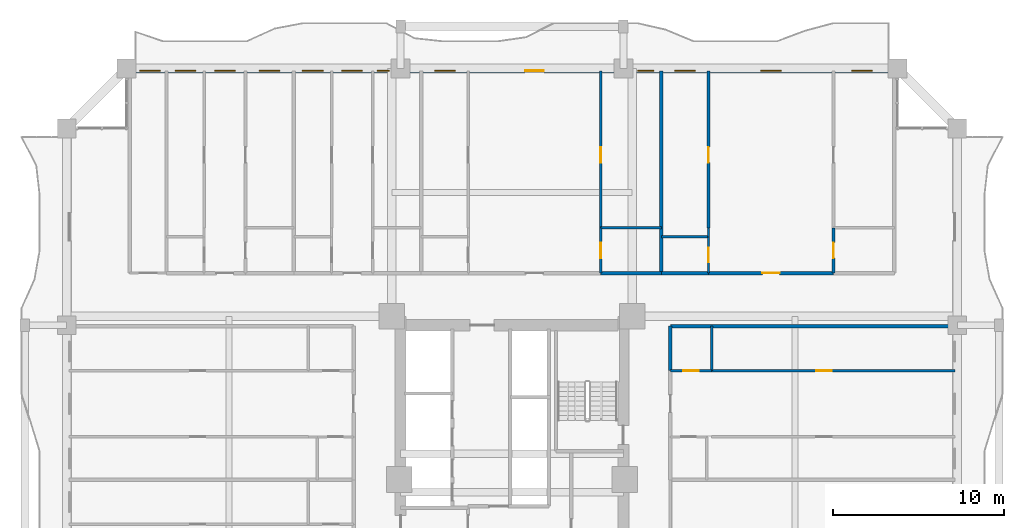
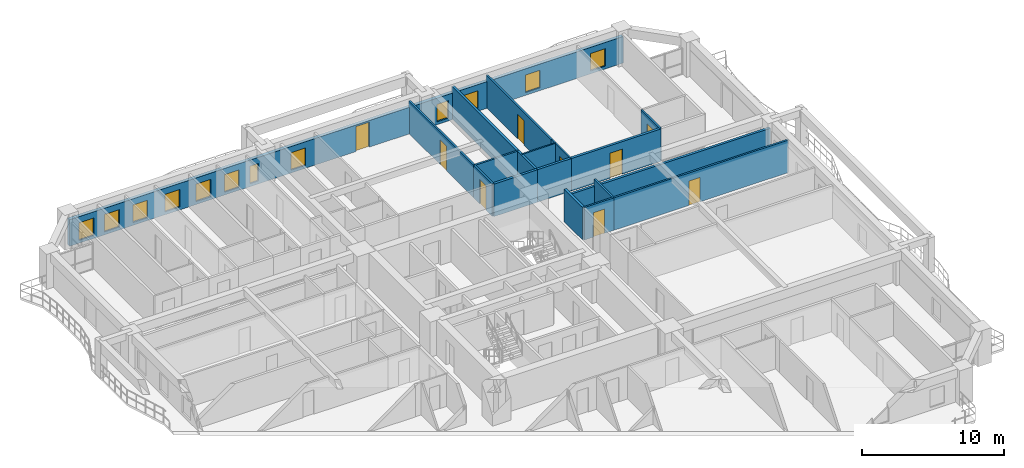
# One storey, part 19 of 27: 18 walls, 12 windows, 9 doors, 21 openings.
"""IFC4 building model written with IfcOpenShell, lengths in metres."""

from ifc_helpers import new_model, si_unit, direction, frame, frame_2d, origin, place, context, subcontext, project, spatial, rectangle, extrude, source, transform, mapped, material, layer, layer_set, type_object, element, fill, save


model = new_model("IFC4")

# Units and contexts
model_context = context("Model", 3, precision=1e-05, world=origin(), true_north=direction((0.0, 1.0)))
body_context = subcontext(model_context, "Body", "Model", "MODEL_VIEW")
ifc_project = project(units=[si_unit("LENGTHUNIT", "METRE"), si_unit("AREAUNIT", "SQUARE_METRE"), si_unit("VOLUMEUNIT", "CUBIC_METRE"), si_unit("PLANEANGLEUNIT", "RADIAN"), si_unit("MASSUNIT", "GRAM", prefix="KILO")], contexts=[model_context])

# Site, building, storey
site_placement = place(None, origin())
site = spatial("IfcSite", under=ifc_project, at=site_placement, CompositionType="ELEMENT")
building_placement = place(site_placement, origin())
building = spatial("IfcBuilding", under=site, at=building_placement, Name="Saelheon Loggia Tower", CompositionType="ELEMENT")
storey_placement = place(building_placement, frame((0.0, 0.0, 52.39990234375)))
storey = spatial("IfcBuildingStorey", under=building, at=storey_placement, Name="L16", CompositionType="ELEMENT", Elevation=52.39990234375)

# Wall, openings, windows, door
ifc_material_1 = material(Name="Architectural Precast Concrete C40/50", Category="concrete")
ifc_layer_1 = layer(ifc_material_1, 0.280029296875)
ifc_layer_set_1 = layer_set([ifc_layer_1], Name="Architectural Precast Concrete C40/50")
wall_type_1 = type_object("IfcWallType", Name="Wall_Ext_Loggia_280", PredefinedType="SOLIDWALL", material=ifc_layer_set_1)
wall_1_placement = place(storey_placement, frame((15.5, 50.860107421875, 0.0), z_axis=(0.0, 0.0, 1.0), x_axis=(1.0, 0.0, 0.0)))
wall_1 = element("IfcWall", 1, at=wall_1_placement, inside=storey, type_object=wall_type_1, Name="L16 North Loggia Inner Wall", PredefinedType="SOLIDWALL", context=body_context, shape_type="SweptSolid", body=[
    extrude(rectangle(XDim=45.0, YDim=0.280029296875, at=frame_2d((22.5, 0.0))), origin(), (0.0, 0.0, 1.0), 2.280029296875),
])
opening_1_placement = place(wall_1_placement, frame((0.760009765625, 0.0, 0.25)))
opening_1 = element("IfcOpeningElement", 2, at=opening_1_placement, cuts=wall_1, Name="Opening WN-03", PredefinedType="OPENING", context=body_context, shape_type="SweptSolid", body=[
    extrude(rectangle(XDim=1.199951171875, YDim=1.5, at=frame_2d((0.60009765625, 0.75))), frame((0.0, 0.152099609375, 0.0), z_axis=(0.0, -1.0, 0.0), x_axis=(1.0, 0.0, 0.0)), (0.0, 0.0, 1.0), 0.303955078125),
])
opening_2_placement = place(wall_1_placement, frame((2.830078125, 0.0, 0.25)))
opening_2 = element("IfcOpeningElement", 3, at=opening_2_placement, cuts=wall_1, Name="Opening WN-03", PredefinedType="OPENING", context=body_context, shape_type="SweptSolid", body=[
    extrude(rectangle(XDim=1.199951171875, YDim=1.5, at=frame_2d((0.60009765625, 0.75))), frame((0.0, 0.152099609375, 0.0), z_axis=(0.0, -1.0, 0.0), x_axis=(1.0, 0.0, 0.0)), (0.0, 0.0, 1.0), 0.303955078125),
])
opening_3_placement = place(wall_1_placement, frame((5.135009765625, 0.0, 0.25)))
opening_3 = element("IfcOpeningElement", 4, at=opening_3_placement, cuts=wall_1, Name="Opening WN-03", PredefinedType="OPENING", context=body_context, shape_type="SweptSolid", body=[
    extrude(rectangle(XDim=1.199951171875, YDim=1.5, at=frame_2d((0.60009765625, 0.75))), frame((0.0, 0.152099609375, 0.0), z_axis=(0.0, -1.0, 0.0), x_axis=(1.0, 0.0, 0.0)), (0.0, 0.0, 1.0), 0.303955078125),
])
opening_4_placement = place(wall_1_placement, frame((7.7529296875, 0.0, 0.25)))
opening_4 = element("IfcOpeningElement", 5, at=opening_4_placement, cuts=wall_1, Name="Opening WN-03", PredefinedType="OPENING", context=body_context, shape_type="SweptSolid", body=[
    extrude(rectangle(XDim=1.199951171875, YDim=1.5, at=frame_2d((0.60009765625, 0.75))), frame((0.0, 0.152099609375, 0.0), z_axis=(0.0, -1.0, 0.0), x_axis=(1.0, 0.0, 0.0)), (0.0, 0.0, 1.0), 0.303955078125),
])
opening_5_placement = place(wall_1_placement, frame((10.265869140625, 0.0, 0.25)))
opening_5 = element("IfcOpeningElement", 6, at=opening_5_placement, cuts=wall_1, Name="Opening WN-03", PredefinedType="OPENING", context=body_context, shape_type="SweptSolid", body=[
    extrude(rectangle(XDim=1.199951171875, YDim=1.5, at=frame_2d((0.60009765625, 0.75))), frame((0.0, 0.152099609375, 0.0), z_axis=(0.0, -1.0, 0.0), x_axis=(1.0, 0.0, 0.0)), (0.0, 0.0, 1.0), 0.303955078125),
])
opening_6_placement = place(wall_1_placement, frame((12.57080078125, 0.0, 0.25)))
opening_6 = element("IfcOpeningElement", 7, at=opening_6_placement, cuts=wall_1, Name="Opening WN-03", PredefinedType="OPENING", context=body_context, shape_type="SweptSolid", body=[
    extrude(rectangle(XDim=1.199951171875, YDim=1.5, at=frame_2d((0.60009765625, 0.75))), frame((0.0, 0.152099609375, 0.0), z_axis=(0.0, -1.0, 0.0), x_axis=(1.0, 0.0, 0.0)), (0.0, 0.0, 1.0), 0.303955078125),
])
opening_7_placement = place(wall_1_placement, frame((14.64306640625, 0.0, 0.25)))
opening_7 = element("IfcOpeningElement", 8, at=opening_7_placement, cuts=wall_1, Name="Opening WN-06", PredefinedType="OPENING", context=body_context, shape_type="SweptSolid", body=[
    extrude(rectangle(XDim=0.699951171875, YDim=1.5, at=frame_2d((0.35009765625, 0.75))), frame((0.0, 0.152099609375, 0.0), z_axis=(0.0, -1.0, 0.0), x_axis=(1.0, 0.0, 0.0)), (0.0, 0.0, 1.0), 0.303955078125),
])
opening_8_placement = place(wall_1_placement, frame((17.9765625, 0.0, 0.25)))
opening_8 = element("IfcOpeningElement", 9, at=opening_8_placement, cuts=wall_1, Name="Opening WN-03", PredefinedType="OPENING", context=body_context, shape_type="SweptSolid", body=[
    extrude(rectangle(XDim=1.199951171875, YDim=1.5, at=frame_2d((0.60009765625, 0.75))), frame((0.0, 0.152099609375, 0.0), z_axis=(0.0, -1.0, 0.0), x_axis=(1.0, 0.0, 0.0)), (0.0, 0.0, 1.0), 0.303955078125),
])
opening_9_placement = place(wall_1_placement, frame((23.26318359375, 0.0, 0.0)))
opening_9 = element("IfcOpeningElement", 10, at=opening_9_placement, cuts=wall_1, Name="Opening TD1", PredefinedType="OPENING", context=body_context, shape_type="SweptSolid", body=[
    extrude(rectangle(XDim=1.10009765625, YDim=2.14990234375, at=frame_2d((0.550048828125, 1.074951171875))), frame((0.0, 0.152099609375, 0.0), z_axis=(0.0, -1.0, 0.0), x_axis=(1.0, 0.0, 0.0)), (0.0, 0.0, 1.0), 0.303955078125),
])
opening_10_placement = place(wall_1_placement, frame((29.83154296875, 0.0, 0.25)))
opening_10 = element("IfcOpeningElement", 11, at=opening_10_placement, cuts=wall_1, Name="Opening WN-04", PredefinedType="OPENING", context=body_context, shape_type="SweptSolid", body=[
    extrude(rectangle(XDim=0.949951171875, YDim=1.5, at=frame_2d((0.47509765625, 0.75))), frame((0.0, 0.152099609375, 0.0), z_axis=(0.0, -1.0, 0.0), x_axis=(1.0, 0.0, 0.0)), (0.0, 0.0, 1.0), 0.303955078125),
])
opening_11_placement = place(wall_1_placement, frame((31.998291015625, 0.0, 0.25)))
opening_11 = element("IfcOpeningElement", 12, at=opening_11_placement, cuts=wall_1, Name="Opening WN-03", PredefinedType="OPENING", context=body_context, shape_type="SweptSolid", body=[
    extrude(rectangle(XDim=1.199951171875, YDim=1.5, at=frame_2d((0.60009765625, 0.75))), frame((0.0, 0.152099609375, 0.0), z_axis=(0.0, -1.0, 0.0), x_axis=(1.0, 0.0, 0.0)), (0.0, 0.0, 1.0), 0.303955078125),
])
opening_12_placement = place(wall_1_placement, frame((37.022705078125, 0.0, 0.25)))
opening_12 = element("IfcOpeningElement", 13, at=opening_12_placement, cuts=wall_1, Name="Opening WN-03", PredefinedType="OPENING", context=body_context, shape_type="SweptSolid", body=[
    extrude(rectangle(XDim=1.199951171875, YDim=1.5, at=frame_2d((0.60009765625, 0.75))), frame((0.0, 0.152099609375, 0.0), z_axis=(0.0, -1.0, 0.0), x_axis=(1.0, 0.0, 0.0)), (0.0, 0.0, 1.0), 0.303955078125),
])
opening_13_placement = place(wall_1_placement, frame((42.341064453125, 0.0, 0.25)))
opening_13 = element("IfcOpeningElement", 14, at=opening_13_placement, cuts=wall_1, Name="Opening WN-03", PredefinedType="OPENING", context=body_context, shape_type="SweptSolid", body=[
    extrude(rectangle(XDim=1.199951171875, YDim=1.5, at=frame_2d((0.60009765625, 0.75))), frame((0.0, 0.152099609375, 0.0), z_axis=(0.0, -1.0, 0.0), x_axis=(1.0, 0.0, 0.0)), (0.0, 0.0, 1.0), 0.303955078125),
])
ifc_material_2 = material(Name="Thermal-Break Aluminium and Triple Low-E Glass", Category="aluminium")
window_type_1 = type_object("IfcWindowType", Name="Win_Slot_700x1500", PartitioningType="SINGLE_PANEL", PredefinedType="WINDOW", material=ifc_material_2)
shared_shape_1 = source(origin(), body_context, "Body", "SweptSolid", [
    extrude(rectangle(XDim=0.699951171875, YDim=1.5, at=frame_2d((0.35009765625, 0.75))), frame((0.0, 0.030029296875, 0.0), z_axis=(0.0, -1.0, 0.0), x_axis=(1.0, 0.0, 0.0)), (0.0, 0.0, 1.0), 0.06005859375),
])
window_1_placement = place(opening_7_placement, origin())
window_1 = element("IfcWindow", 15, at=window_1_placement, inside=storey, type_object=window_type_1, Name="L16 N Dwelling Window 7", OverallHeight=1.5, OverallWidth=0.699951171875, PartitioningType="SINGLE_PANEL", PredefinedType="WINDOW", context=body_context, shape_type="MappedRepresentation", body=[
    mapped(shared_shape_1, transform((0.0, 0.0, 0.0), scale=1.0)),
])
fill(opening_7, window_1)
window_type_2 = type_object("IfcWindowType", Name="Win_Bedroom_1200x1500", PartitioningType="SINGLE_PANEL", PredefinedType="WINDOW", material=ifc_material_2)
shared_shape_2 = source(origin(), body_context, "Body", "SweptSolid", [
    extrude(rectangle(XDim=1.199951171875, YDim=1.5, at=frame_2d((0.60009765625, 0.75))), frame((0.0, 0.030029296875, 0.0), z_axis=(0.0, -1.0, 0.0), x_axis=(1.0, 0.0, 0.0)), (0.0, 0.0, 1.0), 0.06005859375),
])
window_2_placement = place(opening_1_placement, origin())
window_2 = element("IfcWindow", 16, at=window_2_placement, inside=storey, type_object=window_type_2, Name="L16 N Dwelling Window 1", OverallHeight=1.5, OverallWidth=1.199951171875, PartitioningType="SINGLE_PANEL", PredefinedType="WINDOW", context=body_context, shape_type="MappedRepresentation", body=[
    mapped(shared_shape_2, transform((0.0, 0.0, 0.0), scale=1.0)),
])
fill(opening_1, window_2)
window_3_placement = place(opening_2_placement, origin())
window_3 = element("IfcWindow", 17, at=window_3_placement, inside=storey, type_object=window_type_2, Name="L16 N Dwelling Window 2", OverallHeight=1.5, OverallWidth=1.199951171875, PartitioningType="SINGLE_PANEL", PredefinedType="WINDOW", context=body_context, shape_type="MappedRepresentation", body=[
    mapped(shared_shape_2, transform((0.0, 0.0, 0.0), scale=1.0)),
])
fill(opening_2, window_3)
window_4_placement = place(opening_3_placement, origin())
window_4 = element("IfcWindow", 18, at=window_4_placement, inside=storey, type_object=window_type_2, Name="L16 N Dwelling Window 3", OverallHeight=1.5, OverallWidth=1.199951171875, PartitioningType="SINGLE_PANEL", PredefinedType="WINDOW", context=body_context, shape_type="MappedRepresentation", body=[
    mapped(shared_shape_2, transform((0.0, 0.0, 0.0), scale=1.0)),
])
fill(opening_3, window_4)
window_5_placement = place(opening_4_placement, origin())
window_5 = element("IfcWindow", 19, at=window_5_placement, inside=storey, type_object=window_type_2, Name="L16 N Dwelling Window 4", OverallHeight=1.5, OverallWidth=1.199951171875, PartitioningType="SINGLE_PANEL", PredefinedType="WINDOW", context=body_context, shape_type="MappedRepresentation", body=[
    mapped(shared_shape_2, transform((0.0, 0.0, 0.0), scale=1.0)),
])
fill(opening_4, window_5)
window_6_placement = place(opening_5_placement, origin())
window_6 = element("IfcWindow", 20, at=window_6_placement, inside=storey, type_object=window_type_2, Name="L16 N Dwelling Window 5", OverallHeight=1.5, OverallWidth=1.199951171875, PartitioningType="SINGLE_PANEL", PredefinedType="WINDOW", context=body_context, shape_type="MappedRepresentation", body=[
    mapped(shared_shape_2, transform((0.0, 0.0, 0.0), scale=1.0)),
])
fill(opening_5, window_6)
window_7_placement = place(opening_6_placement, origin())
window_7 = element("IfcWindow", 21, at=window_7_placement, inside=storey, type_object=window_type_2, Name="L16 N Dwelling Window 6", OverallHeight=1.5, OverallWidth=1.199951171875, PartitioningType="SINGLE_PANEL", PredefinedType="WINDOW", context=body_context, shape_type="MappedRepresentation", body=[
    mapped(shared_shape_2, transform((0.0, 0.0, 0.0), scale=1.0)),
])
fill(opening_6, window_7)
window_8_placement = place(opening_8_placement, origin())
window_8 = element("IfcWindow", 22, at=window_8_placement, inside=storey, type_object=window_type_2, Name="L16 N Dwelling Window 8", OverallHeight=1.5, OverallWidth=1.199951171875, PartitioningType="SINGLE_PANEL", PredefinedType="WINDOW", context=body_context, shape_type="MappedRepresentation", body=[
    mapped(shared_shape_2, transform((0.0, 0.0, 0.0), scale=1.0)),
])
fill(opening_8, window_8)
window_9_placement = place(opening_11_placement, origin())
window_9 = element("IfcWindow", 23, at=window_9_placement, inside=storey, type_object=window_type_2, Name="L16 N Dwelling Window 11", OverallHeight=1.5, OverallWidth=1.199951171875, PartitioningType="SINGLE_PANEL", PredefinedType="WINDOW", context=body_context, shape_type="MappedRepresentation", body=[
    mapped(shared_shape_2, transform((0.0, 0.0, 0.0), scale=1.0)),
])
fill(opening_11, window_9)
window_10_placement = place(opening_12_placement, origin())
window_10 = element("IfcWindow", 24, at=window_10_placement, inside=storey, type_object=window_type_2, Name="L16 N Dwelling Window 12", OverallHeight=1.5, OverallWidth=1.199951171875, PartitioningType="SINGLE_PANEL", PredefinedType="WINDOW", context=body_context, shape_type="MappedRepresentation", body=[
    mapped(shared_shape_2, transform((0.0, 0.0, 0.0), scale=1.0)),
])
fill(opening_12, window_10)
window_11_placement = place(opening_13_placement, origin())
window_11 = element("IfcWindow", 25, at=window_11_placement, inside=storey, type_object=window_type_2, Name="L16 N Dwelling Window 13", OverallHeight=1.5, OverallWidth=1.199951171875, PartitioningType="SINGLE_PANEL", PredefinedType="WINDOW", context=body_context, shape_type="MappedRepresentation", body=[
    mapped(shared_shape_2, transform((0.0, 0.0, 0.0), scale=1.0)),
])
fill(opening_13, window_11)
ifc_material_3 = material(Name="Thermal-Break Aluminium Glazed Door", Category="aluminium")
door_type_1 = type_object("IfcDoorType", Name="Door_Terrace_TD1", OperationType="NOTDEFINED", PredefinedType="DOOR", material=ifc_material_3)
shared_shape_3 = source(origin(), body_context, "Body", "SweptSolid", [
    extrude(rectangle(XDim=1.10009765625, YDim=2.14990234375, at=frame_2d((0.550048828125, 1.074951171875))), frame((0.0, 0.02490234375, 0.0), z_axis=(0.0, -1.0, 0.0), x_axis=(1.0, 0.0, 0.0)), (0.0, 0.0, 1.0), 0.050048828125),
])
door_1_placement = place(opening_9_placement, origin())
door_1 = element("IfcDoor", 26, at=door_1_placement, inside=storey, type_object=door_type_1, Name="L16 N Loggia Access Door", OperationType="SINGLE_SWING_LEFT", OverallHeight=2.14990234375, OverallWidth=1.10009765625, PredefinedType="DOOR", context=body_context, shape_type="MappedRepresentation", body=[
    mapped(shared_shape_3, transform((0.0, 0.0, 0.0), scale=1.0)),
])
fill(opening_9, door_1)
window_type_3 = type_object("IfcWindowType", Name="Win_Narrow_950x1500", PartitioningType="SINGLE_PANEL", PredefinedType="WINDOW", material=ifc_material_2)
shared_shape_4 = source(origin(), body_context, "Body", "SweptSolid", [
    extrude(rectangle(XDim=0.949951171875, YDim=1.5, at=frame_2d((0.47509765625, 0.75))), frame((0.0, 0.030029296875, 0.0), z_axis=(0.0, -1.0, 0.0), x_axis=(1.0, 0.0, 0.0)), (0.0, 0.0, 1.0), 0.06005859375),
])
window_12_placement = place(opening_10_placement, origin())
window_12 = element("IfcWindow", 27, at=window_12_placement, inside=storey, type_object=window_type_3, Name="L16 N Dwelling Window 10", OverallHeight=1.5, OverallWidth=0.949951171875, PartitioningType="SINGLE_PANEL", PredefinedType="WINDOW", context=body_context, shape_type="MappedRepresentation", body=[
    mapped(shared_shape_4, transform((0.0, 0.0, 0.0), scale=1.0)),
])
fill(opening_10, window_12)

# Wall
ifc_material_4 = material(Name="Lightweight Autoclaved Aerated Concrete Block and Acoustic Gypsum", Category="concrete")
ifc_layer_2 = layer(ifc_material_4, 0.14990234375)
ifc_layer_set_2 = layer_set([ifc_layer_2], Name="Lightweight Autoclaved Aerated Concrete Block and Acoustic Gypsum")
wall_type_2 = type_object("IfcWallType", Name="Wall_Part_150", PredefinedType="PARTITIONING", material=ifc_layer_set_2)
wall_2_placement = place(storey_placement, frame((43.17529296875, 41.68994140625, 0.0), z_axis=(0.0, 0.0, 1.0), x_axis=(1.0, 0.0, 0.0)))
element("IfcWall", 28, at=wall_2_placement, inside=storey, type_object=wall_type_2, Name="L16 N Partition V31", PredefinedType="PARTITIONING", context=body_context, shape_type="SweptSolid", body=[
    extrude(rectangle(XDim=3.5478515625, YDim=0.14990234375, at=frame_2d((1.77392578125, 0.0))), origin(), (0.0, 0.0, 1.0), 2.7900390625),
])

# Wall, opening, door
wall_3_placement = place(storey_placement, frame((43.17529296875, 39.050048828125, 0.0), z_axis=(0.0, 0.0, 1.0), x_axis=(0.0, 1.0, 0.0)))
wall_3 = element("IfcWall", 29, at=wall_3_placement, inside=storey, type_object=wall_type_2, Name="L16 N Partition U35", PredefinedType="PARTITIONING", context=body_context, shape_type="SweptSolid", body=[
    extrude(rectangle(XDim=2.639892578125, YDim=0.14990234375, at=frame_2d((1.31982421875, 0.0))), origin(), (0.0, 0.0, 1.0), 2.7900390625),
])
opening_14_placement = place(wall_3_placement, frame((0.8701171875, 0.0, 0.0)))
opening_14 = element("IfcOpeningElement", 30, at=opening_14_placement, cuts=wall_3, Name="Opening D-IN2", PredefinedType="OPENING", context=body_context, shape_type="SweptSolid", body=[
    extrude(rectangle(XDim=0.89990234375, YDim=2.10009765625, at=frame_2d((0.449951171875, 1.050048828125))), frame((0.0, 0.0869140625, 0.0), z_axis=(0.0, -1.0, 0.0), x_axis=(1.0, 0.0, 0.0)), (0.0, 0.0, 1.0), 0.173828125),
])
ifc_material_5 = material(Name="Engineered Oak Flush Door", Category="timber")
door_type_2 = type_object("IfcDoorType", Name="Door_Int_900", OperationType="NOTDEFINED", PredefinedType="DOOR", material=ifc_material_5)
shared_shape_5 = source(origin(), body_context, "Body", "SweptSolid", [
    extrude(rectangle(XDim=0.89990234375, YDim=2.10009765625, at=frame_2d((0.449951171875, 1.050048828125))), frame((0.0, 0.02490234375, 0.0), z_axis=(0.0, -1.0, 0.0), x_axis=(1.0, 0.0, 0.0)), (0.0, 0.0, 1.0), 0.050048828125),
])
door_2_placement = place(opening_14_placement, origin())
door_2 = element("IfcDoor", 31, at=door_2_placement, inside=storey, type_object=door_type_2, Name="Unit U05 Dressing Closet Door", OperationType="SINGLE_SWING_LEFT", OverallHeight=2.10009765625, OverallWidth=0.89990234375, PredefinedType="DOOR", context=body_context, shape_type="MappedRepresentation", body=[
    mapped(shared_shape_5, transform((0.0, 0.0, 0.0), scale=1.0)),
])
fill(opening_14, door_2)

wall_4_placement = place(storey_placement, frame((43.17529296875, 41.68994140625, 0.0), z_axis=(0.0, 0.0, 1.0), x_axis=(0.0, 1.0, 0.0)))
wall_4 = element("IfcWall", 32, at=wall_4_placement, inside=storey, type_object=wall_type_2, Name="L16 N Partition U36", PredefinedType="PARTITIONING", context=body_context, shape_type="SweptSolid", body=[
    extrude(rectangle(XDim=9.16015625, YDim=0.14990234375, at=frame_2d((4.580078125, 0.0))), origin(), (0.0, 0.0, 1.0), 2.7900390625),
])
opening_15_placement = place(wall_4_placement, frame((3.805908203125, 0.0, 0.0)))
opening_15 = element("IfcOpeningElement", 33, at=opening_15_placement, cuts=wall_4, Name="Opening D-IN2", PredefinedType="OPENING", context=body_context, shape_type="SweptSolid", body=[
    extrude(rectangle(XDim=0.89990234375, YDim=2.10009765625, at=frame_2d((0.449951171875, 1.050048828125))), frame((0.0, 0.0869140625, 0.0), z_axis=(0.0, -1.0, 0.0), x_axis=(1.0, 0.0, 0.0)), (0.0, 0.0, 1.0), 0.173828125),
])
door_3_placement = place(opening_15_placement, origin())
door_3 = element("IfcDoor", 34, at=door_3_placement, inside=storey, type_object=door_type_2, Name="Unit U05 Bedroom 1 Door", OperationType="SINGLE_SWING_RIGHT", OverallHeight=2.10009765625, OverallWidth=0.89990234375, PredefinedType="DOOR", context=body_context, shape_type="MappedRepresentation", body=[
    mapped(shared_shape_5, transform((0.0, 0.0, 0.0), scale=1.0)),
])
fill(opening_15, door_3)

wall_5_placement = place(storey_placement, frame((49.47314453125, 41.68994140625, 0.0), z_axis=(0.0, 0.0, 1.0), x_axis=(0.0, 1.0, 0.0)))
wall_5 = element("IfcWall", 35, at=wall_5_placement, inside=storey, type_object=wall_type_2, Name="L16 N Partition U45", PredefinedType="PARTITIONING", context=body_context, shape_type="SweptSolid", body=[
    extrude(rectangle(XDim=9.16015625, YDim=0.14990234375, at=frame_2d((4.580078125, 0.0))), origin(), (0.0, 0.0, 1.0), 2.7900390625),
])
opening_16_placement = place(wall_5_placement, frame((3.805908203125, 0.0, 0.0)))
opening_16 = element("IfcOpeningElement", 36, at=opening_16_placement, cuts=wall_5, Name="Opening D-IN2", PredefinedType="OPENING", context=body_context, shape_type="SweptSolid", body=[
    extrude(rectangle(XDim=0.89990234375, YDim=2.10009765625, at=frame_2d((0.449951171875, 1.050048828125))), frame((0.0, 0.0869140625, 0.0), z_axis=(0.0, -1.0, 0.0), x_axis=(1.0, 0.0, 0.0)), (0.0, 0.0, 1.0), 0.173828125),
])
door_4_placement = place(opening_16_placement, origin())
door_4 = element("IfcDoor", 37, at=door_4_placement, inside=storey, type_object=door_type_2, Name="Unit U06 Kitchen Door", OperationType="SINGLE_SWING_LEFT", OverallHeight=2.10009765625, OverallWidth=0.89990234375, PredefinedType="DOOR", context=body_context, shape_type="MappedRepresentation", body=[
    mapped(shared_shape_5, transform((0.0, 0.0, 0.0), scale=1.0)),
])
fill(opening_16, door_4)

wall_6_placement = place(storey_placement, frame((56.77197265625, 39.050048828125, 0.0), z_axis=(0.0, 0.0, 1.0), x_axis=(0.0, 1.0, 0.0)))
wall_6 = element("IfcWall", 38, at=wall_6_placement, inside=storey, type_object=wall_type_2, Name="L16 N Partition U46", PredefinedType="PARTITIONING", context=body_context, shape_type="SweptSolid", body=[
    extrude(rectangle(XDim=2.639892578125, YDim=0.14990234375, at=frame_2d((1.31982421875, 0.0))), origin(), (0.0, 0.0, 1.0), 2.7900390625),
])
opening_17_placement = place(wall_6_placement, frame((0.8701171875, 0.0, 0.0)))
opening_17 = element("IfcOpeningElement", 39, at=opening_17_placement, cuts=wall_6, Name="Opening D-IN2", PredefinedType="OPENING", context=body_context, shape_type="SweptSolid", body=[
    extrude(rectangle(XDim=0.89990234375, YDim=2.10009765625, at=frame_2d((0.449951171875, 1.050048828125))), frame((0.0, 0.0869140625, 0.0), z_axis=(0.0, -1.0, 0.0), x_axis=(1.0, 0.0, 0.0)), (0.0, 0.0, 1.0), 0.173828125),
])
door_5_placement = place(opening_17_placement, origin())
door_5 = element("IfcDoor", 40, at=door_5_placement, inside=storey, type_object=door_type_2, Name="Unit U06 Dressing Closet Door", OperationType="SINGLE_SWING_RIGHT", OverallHeight=2.10009765625, OverallWidth=0.89990234375, PredefinedType="DOOR", context=body_context, shape_type="MappedRepresentation", body=[
    mapped(shared_shape_5, transform((0.0, 0.0, 0.0), scale=1.0)),
])
fill(opening_17, door_5)

# Wall
wall_7_placement = place(storey_placement, frame((49.64990234375, 33.35009765625, 0.0), z_axis=(0.0, 0.0, 1.0), x_axis=(0.0, 1.0, 0.0)))
element("IfcWall", 41, at=wall_7_placement, inside=storey, type_object=wall_type_2, Name="L16 E Partition V09", PredefinedType="PARTITIONING", context=body_context, shape_type="SweptSolid", body=[
    extrude(rectangle(XDim=2.599853515625, YDim=0.14990234375, at=frame_2d((1.2998046875, 0.0))), origin(), (0.0, 0.0, 1.0), 2.7900390625),
])

# Wall, opening, door
wall_8_placement = place(storey_placement, frame((47.25, 33.35009765625, 0.0), z_axis=(0.0, 0.0, 1.0), x_axis=(1.0, 0.0, 0.0)))
wall_8 = element("IfcWall", 42, at=wall_8_placement, inside=storey, type_object=wall_type_2, Name="L16 E Partition U12", PredefinedType="PARTITIONING", context=body_context, shape_type="SweptSolid", body=[
    extrude(rectangle(XDim=2.39990234375, YDim=0.14990234375, at=frame_2d((1.199951171875, 0.0))), origin(), (0.0, 0.0, 1.0), 2.7900390625),
])
opening_18_placement = place(wall_8_placement, frame((0.75, 0.0, 0.0)))
opening_18 = element("IfcOpeningElement", 43, at=opening_18_placement, cuts=wall_8, Name="Opening D-IN2", PredefinedType="OPENING", context=body_context, shape_type="SweptSolid", body=[
    extrude(rectangle(XDim=0.89990234375, YDim=2.10009765625, at=frame_2d((0.449951171875, 1.050048828125))), frame((0.0, 0.0869140625, 0.0), z_axis=(0.0, -1.0, 0.0), x_axis=(1.0, 0.0, 0.0)), (0.0, 0.0, 1.0), 0.173828125),
])
door_6_placement = place(opening_18_placement, origin())
door_6 = element("IfcDoor", 44, at=door_6_placement, inside=storey, type_object=door_type_2, Name="Unit U09 Dressing Closet Door", OperationType="SINGLE_SWING_RIGHT", OverallHeight=2.10009765625, OverallWidth=0.89990234375, PredefinedType="DOOR", context=body_context, shape_type="MappedRepresentation", body=[
    mapped(shared_shape_5, transform((0.0, 0.0, 0.0), scale=1.0)),
])
fill(opening_18, door_6)

wall_9_placement = place(storey_placement, frame((49.64990234375, 33.35009765625, 0.0), z_axis=(0.0, 0.0, 1.0), x_axis=(1.0, 0.0, 0.0)))
wall_9 = element("IfcWall", 45, at=wall_9_placement, inside=storey, type_object=wall_type_2, Name="L16 E Partition U13", PredefinedType="PARTITIONING", context=body_context, shape_type="SweptSolid", body=[
    extrude(rectangle(XDim=14.2001953125, YDim=0.14990234375, at=frame_2d((7.10009765625, 0.0))), origin(), (0.0, 0.0, 1.0), 2.7900390625),
])
opening_19_placement = place(wall_9_placement, frame((6.11572265625, 0.0, 0.0)))
opening_19 = element("IfcOpeningElement", 46, at=opening_19_placement, cuts=wall_9, Name="Opening D-IN2", PredefinedType="OPENING", context=body_context, shape_type="SweptSolid", body=[
    extrude(rectangle(XDim=0.89990234375, YDim=2.10009765625, at=frame_2d((0.449951171875, 1.050048828125))), frame((0.0, 0.0869140625, 0.0), z_axis=(0.0, -1.0, 0.0), x_axis=(1.0, 0.0, 0.0)), (0.0, 0.0, 1.0), 0.173828125),
])
door_7_placement = place(opening_19_placement, origin())
door_7 = element("IfcDoor", 47, at=door_7_placement, inside=storey, type_object=door_type_2, Name="Unit U09 Bedroom 1 Door", OperationType="SINGLE_SWING_LEFT", OverallHeight=2.10009765625, OverallWidth=0.89990234375, PredefinedType="DOOR", context=body_context, shape_type="MappedRepresentation", body=[
    mapped(shared_shape_5, transform((0.0, 0.0, 0.0), scale=1.0)),
])
fill(opening_19, door_7)

# Walls
ifc_material_6 = material(Name="Double Acoustic Stud and Fireboard Partition", Category="gypsum")
ifc_layer_3 = layer(ifc_material_6, 0.199951171875)
ifc_layer_set_3 = layer_set([ifc_layer_3], Name="Double Acoustic Stud and Fireboard Partition")
wall_type_3 = type_object("IfcWallType", Name="Wall_Party_200", PredefinedType="PARTITIONING", material=ifc_layer_set_3)
wall_10_placement = place(storey_placement, frame((43.17529296875, 39.050048828125, 0.0), z_axis=(0.0, 0.0, 1.0), x_axis=(1.0, 0.0, 0.0)))
element("IfcWall", 48, at=wall_10_placement, inside=storey, type_object=wall_type_3, Name="L16 N Partition V29", PredefinedType="PARTITIONING", context=body_context, shape_type="SweptSolid", body=[
    extrude(rectangle(XDim=3.5478515625, YDim=0.199951171875, at=frame_2d((1.77392578125, 0.0))), origin(), (0.0, 0.0, 1.0), 2.7900390625),
])
wall_11_placement = place(storey_placement, frame((46.72314453125, 39.050048828125, 0.0), z_axis=(0.0, 0.0, 1.0), x_axis=(0.0, 1.0, 0.0)))
element("IfcWall", 49, at=wall_11_placement, inside=storey, type_object=wall_type_3, Name="L16 N Partition U37", PredefinedType="PARTITIONING", context=body_context, shape_type="SweptSolid", body=[
    extrude(rectangle(XDim=11.800048828125, YDim=0.199951171875, at=frame_2d((5.89990234375, 0.0))), origin(), (0.0, 0.0, 1.0), 2.7900390625),
])
wall_12_placement = place(storey_placement, frame((46.72314453125, 39.050048828125, 0.0), z_axis=(0.0, 0.0, 1.0), x_axis=(1.0, 0.0, 0.0)))
element("IfcWall", 50, at=wall_12_placement, inside=storey, type_object=wall_type_3, Name="L16 N Partition V38", PredefinedType="PARTITIONING", context=body_context, shape_type="SweptSolid", body=[
    extrude(rectangle(XDim=2.75, YDim=0.199951171875, at=frame_2d((1.375, 0.0))), origin(), (0.0, 0.0, 1.0), 2.7900390625),
])

# Wall, opening, door
wall_13_placement = place(storey_placement, frame((49.47314453125, 39.050048828125, 0.0), z_axis=(0.0, 0.0, 1.0), x_axis=(1.0, 0.0, 0.0)))
wall_13 = element("IfcWall", 51, at=wall_13_placement, inside=storey, type_object=wall_type_3, Name="L16 N Partition V39", PredefinedType="PARTITIONING", context=body_context, shape_type="SweptSolid", body=[
    extrude(rectangle(XDim=7.298828125, YDim=0.199951171875, at=frame_2d((3.6494140625, 0.0))), origin(), (0.0, 0.0, 1.0), 2.7900390625),
])
opening_20_placement = place(wall_13_placement, frame((3.1494140625, 0.0, 0.0)))
opening_20 = element("IfcOpeningElement", 52, at=opening_20_placement, cuts=wall_13, Name="Opening D-FD1", PredefinedType="OPENING", context=body_context, shape_type="SweptSolid", body=[
    extrude(rectangle(XDim=1.0, YDim=2.14990234375, at=frame_2d((0.5, 1.074951171875))), frame((0.0, 0.112060546875, 0.0), z_axis=(0.0, -1.0, 0.0), x_axis=(1.0, 0.0, 0.0)), (0.0, 0.0, 1.0), 0.223876953125),
])
ifc_material_7 = material(Name="Fire-Rated Engineered Timber Entrance Door", Category="wood")
door_type_3 = type_object("IfcDoorType", Name="Door_Flat_FD30S", OperationType="NOTDEFINED", PredefinedType="DOOR", material=ifc_material_7)
shared_shape_6 = source(origin(), body_context, "Body", "SweptSolid", [
    extrude(rectangle(XDim=1.0, YDim=2.14990234375, at=frame_2d((0.5, 1.074951171875))), frame((0.0, 0.02490234375, 0.0), z_axis=(0.0, -1.0, 0.0), x_axis=(1.0, 0.0, 0.0)), (0.0, 0.0, 1.0), 0.050048828125),
])
door_8_placement = place(opening_20_placement, origin())
door_8 = element("IfcDoor", 53, at=door_8_placement, inside=storey, type_object=door_type_3, Name="Unit U06 Entrance Door", OperationType="SINGLE_SWING_LEFT", OverallHeight=2.14990234375, OverallWidth=1.0, PredefinedType="DOOR", context=body_context, shape_type="MappedRepresentation", body=[
    mapped(shared_shape_6, transform((0.0, 0.0, 0.0), scale=1.0)),
])
fill(opening_20, door_8)

# Walls
wall_14_placement = place(storey_placement, frame((47.25, 35.949951171875, 0.0), z_axis=(0.0, 0.0, 1.0), x_axis=(1.0, 0.0, 0.0)))
element("IfcWall", 54, at=wall_14_placement, inside=storey, type_object=wall_type_3, Name="L16 E Partition U02", PredefinedType="PARTITIONING", context=body_context, shape_type="SweptSolid", body=[
    extrude(rectangle(XDim=16.60009765625, YDim=0.199951171875, at=frame_2d((8.300048828125, 0.0))), origin(), (0.0, 0.0, 1.0), 2.239990234375),
])
wall_15_placement = place(storey_placement, frame((47.25, 33.35009765625, 0.0), z_axis=(0.0, 0.0, 1.0), x_axis=(0.0, 1.0, 0.0)))
element("IfcWall", 55, at=wall_15_placement, inside=storey, type_object=wall_type_3, Name="L16 E Partition V07", PredefinedType="PARTITIONING", context=body_context, shape_type="SweptSolid", body=[
    extrude(rectangle(XDim=2.599853515625, YDim=0.199951171875, at=frame_2d((1.2998046875, 0.0))), origin(), (0.0, 0.0, 1.0), 2.7900390625),
])
ifc_material_8 = material(Name="Moisture-Resistant Cement Board Partition", Category="gypsum")
ifc_layer_4 = layer(ifc_material_8, 0.1201171875)
ifc_layer_set_4 = layer_set([ifc_layer_4], Name="Moisture-Resistant Cement Board Partition")
wall_type_4 = type_object("IfcWallType", Name="Wall_WetPart_120", PredefinedType="PARTITIONING", material=ifc_layer_set_4)
wall_16_placement = place(storey_placement, frame((46.72314453125, 41.169921875, 0.0), z_axis=(0.0, 0.0, 1.0), x_axis=(1.0, 0.0, 0.0)))
element("IfcWall", 56, at=wall_16_placement, inside=storey, type_object=wall_type_4, Name="L16 N Partition V41", PredefinedType="PARTITIONING", context=body_context, shape_type="SweptSolid", body=[
    extrude(rectangle(XDim=2.75, YDim=0.1201171875, at=frame_2d((1.375, 0.0))), origin(), (0.0, 0.0, 1.0), 2.7900390625),
])

# Wall, opening, door
wall_17_placement = place(storey_placement, frame((49.47314453125, 39.050048828125, 0.0), z_axis=(0.0, 0.0, 1.0), x_axis=(0.0, 1.0, 0.0)))
wall_17 = element("IfcWall", 57, at=wall_17_placement, inside=storey, type_object=wall_type_4, Name="L16 N Partition U43", PredefinedType="PARTITIONING", context=body_context, shape_type="SweptSolid", body=[
    extrude(rectangle(XDim=2.119873046875, YDim=0.1201171875, at=frame_2d((1.06005859375, 0.0))), origin(), (0.0, 0.0, 1.0), 2.7900390625),
])
opening_21_placement = place(wall_17_placement, frame((0.635009765625, 0.0, 0.0)))
opening_21 = element("IfcOpeningElement", 58, at=opening_21_placement, cuts=wall_17, Name="Opening D-BT1", PredefinedType="OPENING", context=body_context, shape_type="SweptSolid", body=[
    extrude(rectangle(XDim=0.85009765625, YDim=2.050048828125, at=frame_2d((0.425048828125, 1.02490234375))), frame((0.0, 0.072021484375, 0.0), z_axis=(0.0, -1.0, 0.0), x_axis=(1.0, 0.0, 0.0)), (0.0, 0.0, 1.0), 0.14404296875),
])
ifc_material_9 = material(Name="Moisture-Resistant Laminate Timber Door", Category="wood")
door_type_4 = type_object("IfcDoorType", Name="Door_Bath_850", OperationType="NOTDEFINED", PredefinedType="DOOR", material=ifc_material_9)
shared_shape_7 = source(origin(), body_context, "Body", "SweptSolid", [
    extrude(rectangle(XDim=0.85009765625, YDim=2.050048828125, at=frame_2d((0.425048828125, 1.02490234375))), frame((0.0, 0.02490234375, 0.0), z_axis=(0.0, -1.0, 0.0), x_axis=(1.0, 0.0, 0.0)), (0.0, 0.0, 1.0), 0.050048828125),
])
door_9_placement = place(opening_21_placement, origin())
door_9 = element("IfcDoor", 59, at=door_9_placement, inside=storey, type_object=door_type_4, Name="Unit U06 Bathroom Door", OperationType="SINGLE_SWING_RIGHT", OverallHeight=2.050048828125, OverallWidth=0.85009765625, PredefinedType="DOOR", context=body_context, shape_type="MappedRepresentation", body=[
    mapped(shared_shape_7, transform((0.0, 0.0, 0.0), scale=1.0)),
])
fill(opening_21, door_9)

# Wall
wall_18_placement = place(storey_placement, frame((49.47314453125, 41.169921875, 0.0), z_axis=(0.0, 0.0, 1.0), x_axis=(0.0, 1.0, 0.0)))
element("IfcWall", 60, at=wall_18_placement, inside=storey, type_object=wall_type_4, Name="L16 N Partition U44", PredefinedType="PARTITIONING", context=body_context, shape_type="SweptSolid", body=[
    extrude(rectangle(XDim=0.52001953125, YDim=0.1201171875, at=frame_2d((0.260009765625, 0.0))), origin(), (0.0, 0.0, 1.0), 2.7900390625),
])

save(model, "model.ifc")
